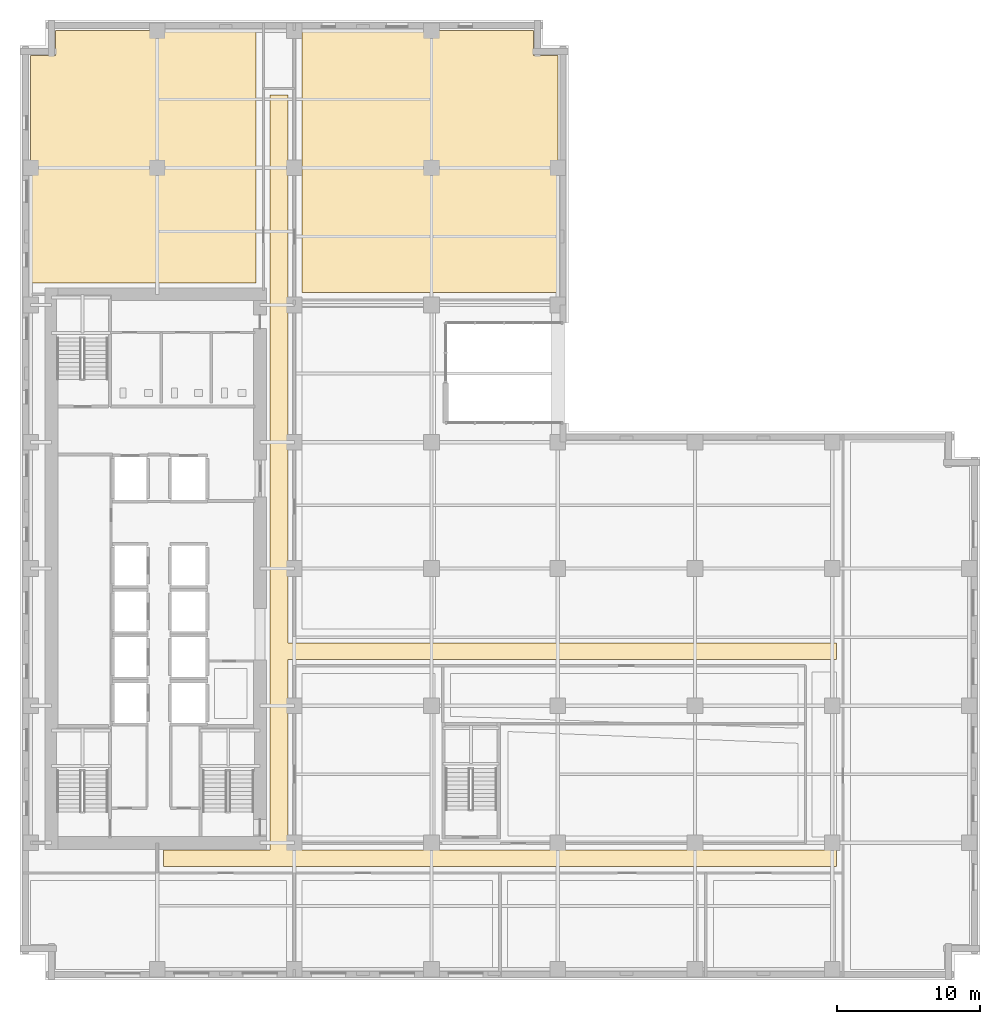
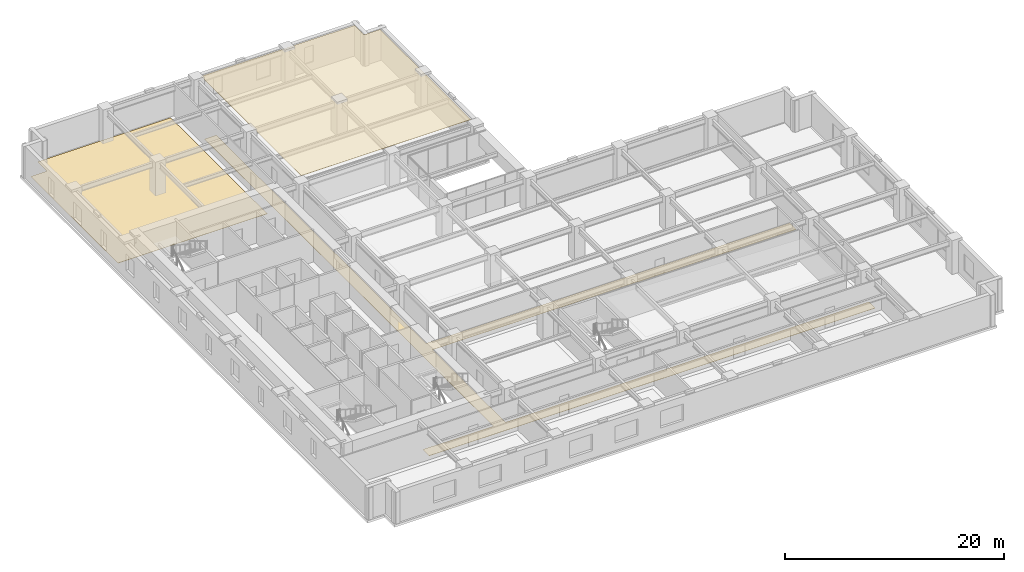
# One storey, part 13 of 14: 3 coverings.
"""IFC4 building model written with IfcOpenShell, lengths in metres."""

from ifc_helpers import new_model, si_unit, direction, frame, origin, place, context, subcontext, project, spatial, polyline, outline, extrude, material, layer, layer_set, type_object, element, save


model = new_model("IFC4")

# Units and contexts
model_context = context("Model", 3, precision=1e-05, world=origin(), true_north=direction((0.0, 1.0)))
body_context = subcontext(model_context, "Body", "Model", "MODEL_VIEW")
ifc_project = project(units=[si_unit("LENGTHUNIT", "METRE"), si_unit("AREAUNIT", "SQUARE_METRE"), si_unit("VOLUMEUNIT", "CUBIC_METRE"), si_unit("PLANEANGLEUNIT", "RADIAN"), si_unit("MASSUNIT", "GRAM", prefix="KILO")], contexts=[model_context])

# Site, building, storey
site_placement = place(None, origin())
site = spatial("IfcSite", under=ifc_project, at=site_placement, CompositionType="ELEMENT")
building_placement = place(site_placement, origin())
building = spatial("IfcBuilding", under=site, at=building_placement, Name="Norrvale University Quadrangle", CompositionType="ELEMENT")
storey_placement = place(building_placement, frame((0.0, 0.0, 62.199951171875)))
storey = spatial("IfcBuildingStorey", under=building, at=storey_placement, Name="L15", CompositionType="ELEMENT", Elevation=62.199951171875)

# Coverings
ifc_material_1 = material(Name="Perforated Acoustic Mineral Ceiling")
ifc_layer_1 = layer(ifc_material_1, 0.02490234375, Name="Perforated Acoustic Mineral Ceiling")
ifc_layer_set_1 = layer_set([ifc_layer_1], Name="Perforated Acoustic Mineral Ceiling")
covering_type_1 = type_object("IfcCoveringType", Name="Covering Acoustic Ceiling 25", PredefinedType="CEILING", material=ifc_layer_set_1)
covering_1_placement = place(storey_placement, frame((0.0, 0.0, 3.51513671875)))
element("IfcCovering", 1, at=covering_1_placement, inside=storey, type_object=covering_type_1, Name="Acoustic Ceiling RM-L15-NE01", PredefinedType="CEILING", context=body_context, shape_type="SweptSolid", body=[
    extrude(outline(polyline([(37.64990234375, 48.1298828125), (19.72998046875, 48.1298828125), (19.72998046875, 66.449951171875), (35.929931640625, 66.449951171875), (35.929931640625, 64.72998046875), (37.64990234375, 64.72998046875), (37.64990234375, 48.1298828125)])), origin(), (0.0, 0.0, 1.0), 0.02490234375),
])
ifc_material_2 = material(Name="Polished Terrazzo Flooring")
ifc_layer_2 = layer(ifc_material_2, 0.02490234375, Name="Polished Terrazzo Flooring")
ifc_layer_set_2 = layer_set([ifc_layer_2], Name="Polished Terrazzo Flooring")
covering_type_2 = type_object("IfcCoveringType", Name="Covering Terrazzo Floor 30", PredefinedType="FLOORING", material=ifc_layer_set_2)
covering_2_placement = place(storey_placement, origin())
element("IfcCovering", 2, at=covering_2_placement, inside=storey, type_object=covering_type_2, Name="Terrazzo Flooring RM-L15-CORR1", PredefinedType="FLOORING", context=body_context, shape_type="SweptSolid", body=[
    extrude(outline(polyline([(10.050048828125, 7.949951171875), (10.050048828125, 9.10009765625), (17.5, 9.10009765625), (17.5, 61.949951171875), (18.75, 61.949951171875), (18.75, 23.60009765625), (57.14990234375, 23.60009765625), (57.14990234375, 22.449951171875), (18.75, 22.449951171875), (18.75, 9.10009765625), (57.14990234375, 9.10009765625), (57.14990234375, 7.949951171875), (10.050048828125, 7.949951171875)])), origin(), (0.0, 0.0, 1.0), 0.025146484375),
])
covering_3_placement = place(storey_placement, origin())
element("IfcCovering", 3, at=covering_3_placement, inside=storey, type_object=covering_type_2, Name="Terrazzo Flooring RM-L15-NW01", PredefinedType="FLOORING", context=body_context, shape_type="SweptSolid", body=[
    extrude(outline(polyline([(16.52001953125, 66.449951171875), (16.52001953125, 48.780029296875), (0.75, 48.780029296875), (0.75, 64.72998046875), (2.469970703125, 64.72998046875), (2.469970703125, 66.449951171875), (16.52001953125, 66.449951171875)])), origin(), (0.0, 0.0, 1.0), 0.025146484375),
])

save(model, "model.ifc")
